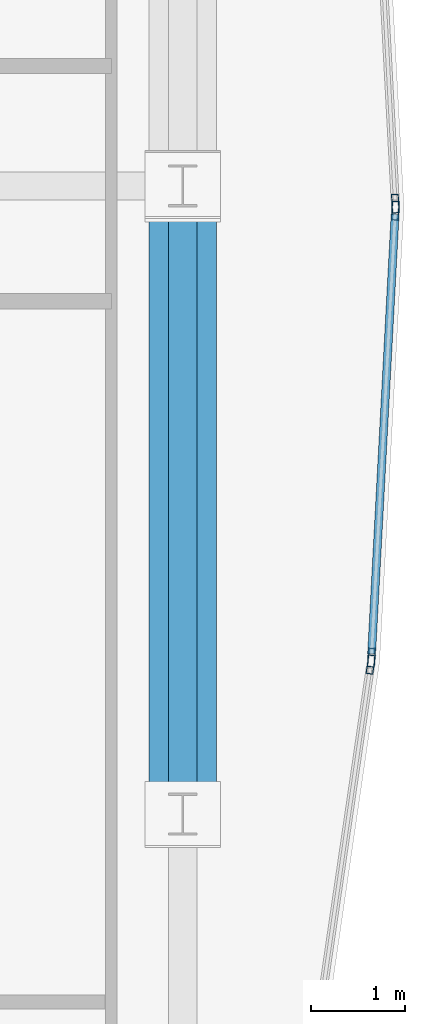
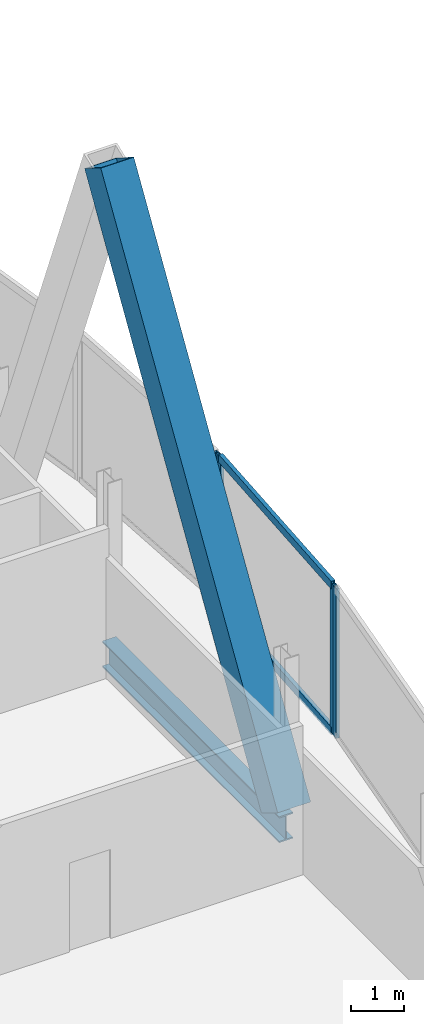
# One storey, part 19 of 32: 7 members, 1 beam, 3 elements without a shape of their own.
"""IFC4 building model written with IfcOpenShell, lengths in metres."""

from ifc_helpers import new_model, si_unit, direction, frame, origin, origin_2d, place, context, subcontext, project, spatial, hollow_rectangle, i_section, extrude, material, material_profile, profile_set, type_object, element, aggregate, save


model = new_model("IFC4")

# Units and contexts
model_context = context("Model", 3, precision=1e-05, world=origin(), true_north=direction((0.0, 1.0)))
body_context = subcontext(model_context, "Body", "Model", "MODEL_VIEW")
ifc_project = project(units=[si_unit("LENGTHUNIT", "METRE"), si_unit("AREAUNIT", "SQUARE_METRE"), si_unit("VOLUMEUNIT", "CUBIC_METRE"), si_unit("PLANEANGLEUNIT", "RADIAN"), si_unit("MASSUNIT", "GRAM", prefix="KILO")], contexts=[model_context])

# Site, building, storey
site_placement = place(None, origin())
site = spatial("IfcSite", under=ifc_project, at=site_placement, CompositionType="ELEMENT")
building_placement = place(site_placement, origin())
building = spatial("IfcBuilding", under=site, at=building_placement, Name="Khoronbel Lancet Exchange", CompositionType="ELEMENT")
storey_placement = place(building_placement, frame((0.0, 0.0, 221.0)))
storey = spatial("IfcBuildingStorey", under=building, at=storey_placement, Name="L56", CompositionType="ELEMENT", Elevation=221.0)

# Beam
ifc_material_1 = material(Name="Steel S355", Category="steel")
ifc_material_profile_1 = material_profile(ifc_material_1, i_section(OverallWidth=0.300048828125, OverallDepth=0.60009765625, WebThickness=0.015380859375, FlangeThickness=0.030029296875, at=origin_2d()), Name="HEB 600")
ifc_profile_set_1 = profile_set([ifc_material_profile_1], Name="Steel S355")
beam_type = type_object("IfcBeamType", Name="BM-BSP2", PredefinedType="SPANDREL", material=ifc_profile_set_1)
beam_placement = place(storey_placement, frame((65.6298828125, 24.75, -0.4599609375), z_axis=(0.0, 1.0, 0.0), x_axis=(-1.0, 0.0, 0.0)))
element("IfcBeam", 1, at=beam_placement, inside=storey, type_object=beam_type, Name="Level L56 perimeter spandrel beam SP12", PredefinedType="SPANDREL", context=body_context, shape_type="SweptSolid", body=[
    extrude(i_section(OverallWidth=0.300048828125, OverallDepth=0.60009765625, WebThickness=0.015380859375, FlangeThickness=0.030029296875, at=origin_2d()), origin(), (0.0, 0.0, 1.0), 6.675048828125),
])

# Curtain wall, member
ifc_material_2 = material(Name="Low-E Solar Control Insulating Glass", Category="glass")
curtain_wall_type = type_object("IfcCurtainWallType", Name="CW-4", PredefinedType="NOTDEFINED", material=ifc_material_2)
curtain_wall_1_placement = place(storey_placement, origin())
curtain_wall_1 = element("IfcCurtainWall", 2, at=curtain_wall_1_placement, inside=storey, type_object=curtain_wall_type, Name="Unitised curtain wall CW-L56-E19", PredefinedType="NOTDEFINED")
ifc_material_3 = material(Name="Bronze-Anodised Aluminium 6063-T6", Category="aluminium")
ifc_material_profile_2 = material_profile(ifc_material_3, hollow_rectangle(XDim=0.074951171875, YDim=0.199951171875, WallThickness=0.0048828125, at=origin_2d()), Name="ALU MULLION 75x200")
ifc_profile_set_2 = profile_set([ifc_material_profile_2], Name="Bronze-Anodised Aluminium 6063-T6")
member_type_1 = type_object("IfcMemberType", Name="MEM-CWM2", PredefinedType="MULLION", material=ifc_profile_set_2)
member_1_placement = place(storey_placement, frame((67.88818359375, 31.237548828125, 0.0), z_axis=(0.0, 0.0, 1.0), x_axis=(0.998570895104, 0.053443123521, 0.0)))
member_1 = element("IfcMember", 3, at=member_1_placement, type_object=member_type_1, Name="CW4 mullion 2", PredefinedType="MULLION", context=body_context, shape_type="SweptSolid", body=[
    extrude(hollow_rectangle(XDim=0.074951171875, YDim=0.199951171875, WallThickness=0.0048828125, at=origin_2d()), origin(), (0.0, 0.0, 1.0), 3.43994140625),
])
aggregate(curtain_wall_1, [member_1])

# Curtain wall, members
curtain_wall_2_placement = place(storey_placement, origin())
curtain_wall_2 = element("IfcCurtainWall", 4, at=curtain_wall_2_placement, inside=storey, type_object=curtain_wall_type, Name="Unitised curtain wall CW-L56-E20", PredefinedType="NOTDEFINED")
member_2_placement = place(storey_placement, frame((67.88818359375, 31.16259765625, 0.0), z_axis=(0.0, 0.0, 1.0), x_axis=(0.998570895104, -0.053443123521, 0.0)))
member_2 = element("IfcMember", 5, at=member_2_placement, type_object=member_type_1, Name="CW4 mullion 1", PredefinedType="MULLION", context=body_context, shape_type="SweptSolid", body=[
    extrude(hollow_rectangle(XDim=0.074951171875, YDim=0.199951171875, WallThickness=0.0048828125, at=origin_2d()), origin(), (0.0, 0.0, 1.0), 3.43994140625),
])
member_3_placement = place(storey_placement, frame((67.634033203125, 26.4130859375, 0.0), z_axis=(0.0, 0.0, 1.0), x_axis=(0.998570895104, -0.053443123521, 0.0)))
member_3 = element("IfcMember", 6, at=member_3_placement, type_object=member_type_1, Name="CW4 mullion 2", PredefinedType="MULLION", context=body_context, shape_type="SweptSolid", body=[
    extrude(hollow_rectangle(XDim=0.074951171875, YDim=0.199951171875, WallThickness=0.0048828125, at=origin_2d()), origin(), (0.0, 0.0, 1.0), 3.43994140625),
])

# Curtain wall, member
curtain_wall_3_placement = place(storey_placement, origin())
curtain_wall_3 = element("IfcCurtainWall", 7, at=curtain_wall_3_placement, inside=storey, type_object=curtain_wall_type, Name="Unitised curtain wall CW-L56-E21", PredefinedType="NOTDEFINED")
member_4_placement = place(storey_placement, frame((67.626708984375, 26.33837890625, 0.0), z_axis=(0.0, 0.0, 1.0), x_axis=(0.989484260483, -0.144640583019, 0.0)))
member_4 = element("IfcMember", 8, at=member_4_placement, type_object=member_type_1, Name="CW4 mullion 1", PredefinedType="MULLION", context=body_context, shape_type="SweptSolid", body=[
    extrude(hollow_rectangle(XDim=0.074951171875, YDim=0.199951171875, WallThickness=0.0048828125, at=origin_2d()), origin(), (0.0, 0.0, 1.0), 3.43994140625),
])
aggregate(curtain_wall_3, [member_4])

# Member
ifc_material_profile_3 = material_profile(ifc_material_3, hollow_rectangle(XDim=0.0849609375, YDim=0.179931640625, WallThickness=0.0048828125, at=origin_2d()), Name="ALU TRANSOM 85x180")
ifc_profile_set_3 = profile_set([ifc_material_profile_3], Name="Bronze-Anodised Aluminium 6063-T6")
member_type_2 = type_object("IfcMemberType", Name="MEM-CWT1", PredefinedType="USERDEFINED", material=ifc_profile_set_3)
member_5_placement = place(storey_placement, frame((67.88623046875, 31.125, 0.04248046875), z_axis=(-0.053456647282, -0.998570171226, 0.0), x_axis=(0.998570171226, -0.053456647282, 0.0)))
member_5 = element("IfcMember", 9, at=member_5_placement, type_object=member_type_2, Name="CW4 transom 1.1", ObjectType="TRANSOM", PredefinedType="USERDEFINED", context=body_context, shape_type="SweptSolid", body=[
    extrude(hollow_rectangle(XDim=0.0849609375, YDim=0.179931640625, WallThickness=0.0048828125, at=origin_2d()), origin(), (0.0, 0.0, 1.0), 4.68115234375),
])

member_6_placement = place(storey_placement, frame((67.88623046875, 31.125, 3.3974609375), z_axis=(-0.053456647282, -0.998570171226, 0.0), x_axis=(0.998570171226, -0.053456647282, 0.0)))
member_6 = element("IfcMember", 10, at=member_6_placement, type_object=member_type_2, Name="CW4 transom 1.2", ObjectType="TRANSOM", PredefinedType="USERDEFINED", context=body_context, shape_type="SweptSolid", body=[
    extrude(hollow_rectangle(XDim=0.0849609375, YDim=0.179931640625, WallThickness=0.0048828125, at=origin_2d()), origin(), (0.0, 0.0, 1.0), 4.68115234375),
])

aggregate(curtain_wall_2, [member_2, member_3, member_5, member_6])

ifc_material_4 = material(Name="Steel S460", Category="steel")
ifc_material_profile_4 = material_profile(ifc_material_4, hollow_rectangle(XDim=0.719970703125, YDim=0.719970703125, WallThickness=0.050048828125, at=origin_2d()), Name="BOX 720x720x50")
ifc_profile_set_4 = profile_set([ifc_material_profile_4], Name="Steel S460")
member_type_3 = type_object("IfcMemberType", Name="MEM-MB2", PredefinedType="BRACE", material=ifc_profile_set_4)
member_7_placement = place(storey_placement, frame((65.6298828125, 24.75, 0.0), z_axis=(0.0, 0.525745449971, 0.850641946906), x_axis=(-1.0, 0.0, 0.0)))
element("IfcMember", 11, at=member_7_placement, inside=storey, type_object=member_type_3, Name="Perimeter lancet brace tier 19 E-P-L", PredefinedType="BRACE", context=body_context, shape_type="SweptSolid", body=[
    extrude(hollow_rectangle(XDim=0.719970703125, YDim=0.719970703125, WallThickness=0.050048828125, at=origin_2d()), origin(), (0.0, 0.0, 1.0), 12.6962890625),
])

save(model, "model.ifc")
